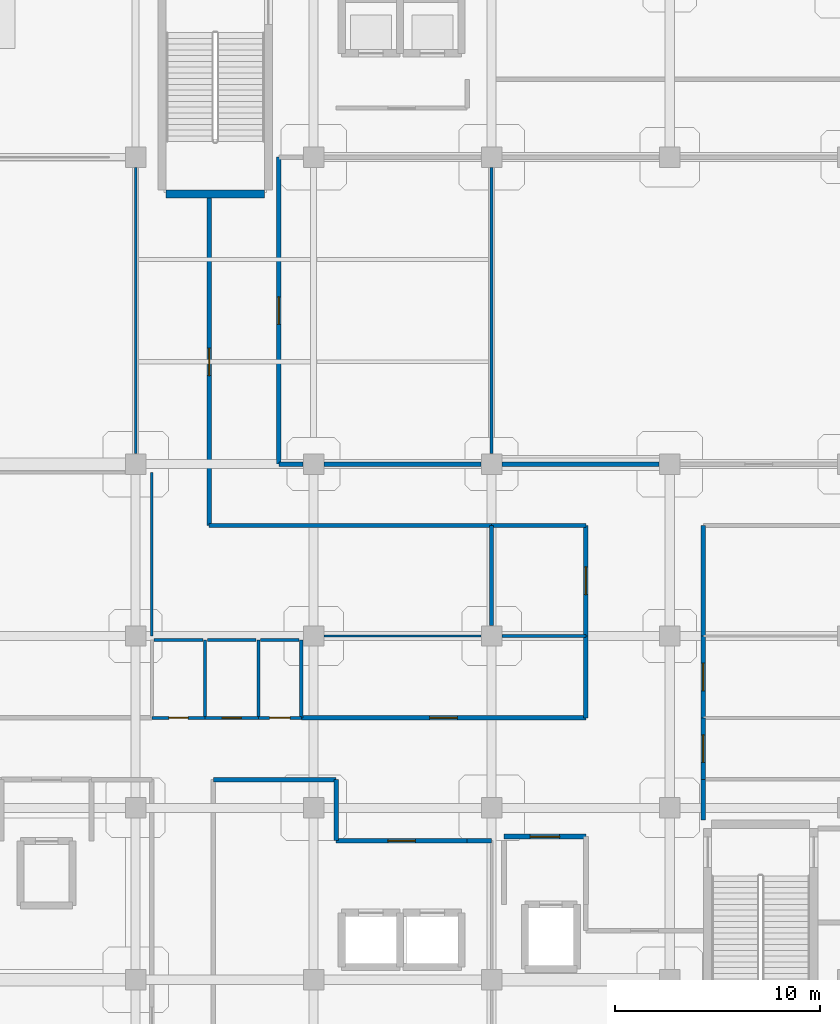
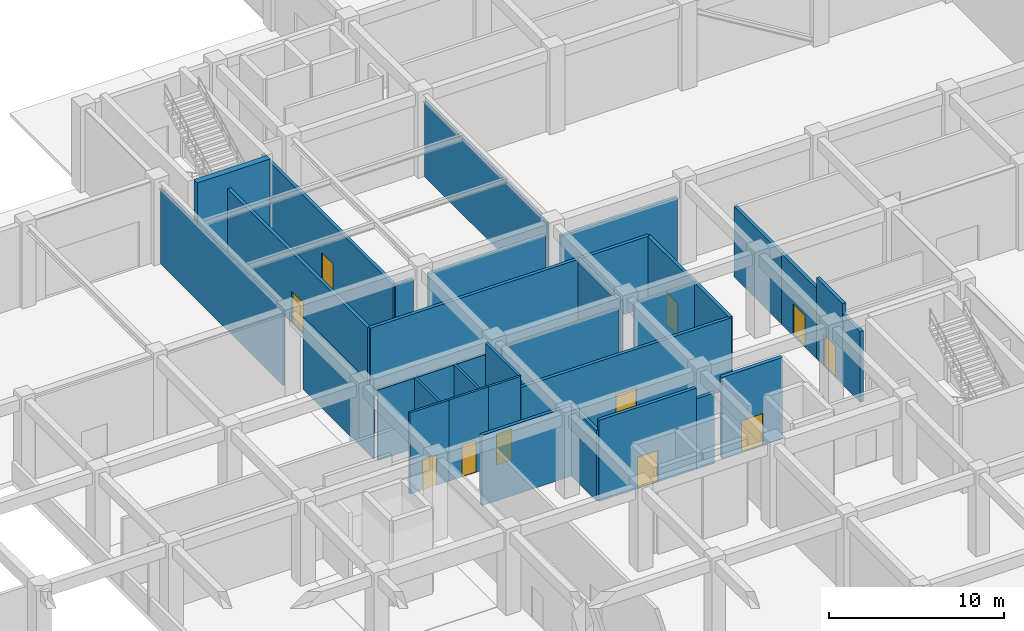
# One storey, part 62 of 82: 35 walls, 11 doors, 11 openings.
"""IFC4 building model written with IfcOpenShell, lengths in metres."""

from ifc_helpers import new_model, si_unit, derived_unit, direction, frame, frame_2d, origin, place, context, subcontext, project, spatial, rectangle, extrude, material, layer, layer_set, type_object, element, fill, save


model = new_model("IFC4")

# Units and contexts
model_context = context("Model", 3, precision=1e-05, world=origin(), true_north=direction((0.0, 1.0)))
body_context = subcontext(model_context, "Body", "Model", "MODEL_VIEW")
ifc_project = project(units=[si_unit("LENGTHUNIT", "METRE"), si_unit("AREAUNIT", "SQUARE_METRE"), si_unit("VOLUMEUNIT", "CUBIC_METRE"), si_unit("PLANEANGLEUNIT", "RADIAN"), si_unit("MASSUNIT", "GRAM", prefix="KILO"), derived_unit("THERMALTRANSMITTANCEUNIT", [(si_unit("MASSUNIT", "GRAM", prefix="KILO"), 1), (si_unit("TIMEUNIT", "SECOND"), -3), (si_unit("THERMODYNAMICTEMPERATUREUNIT", "KELVIN"), -1)])], contexts=[model_context])

# Site, building, storey
site_placement = place(None, origin())
site = spatial("IfcSite", under=ifc_project, at=site_placement, CompositionType="ELEMENT")
building_placement = place(site_placement, origin())
building = spatial("IfcBuilding", under=site, at=building_placement, Name="Qinzheling Arcade Emporium", CompositionType="ELEMENT")
storey_placement = place(building_placement, origin())
storey = spatial("IfcBuildingStorey", under=building, at=storey_placement, Name="L01", CompositionType="ELEMENT", Elevation=0.0)

# Wall, opening, door
ifc_material_1 = material(Name="Double-stud acoustic gypsum board partition")
ifc_layer_1 = layer(ifc_material_1, 0.215087890625, Name="Double-stud acoustic gypsum board partition")
ifc_layer_set_1 = layer_set([ifc_layer_1], Name="Double-stud acoustic gypsum board partition")
wall_type_1 = type_object("IfcWallType", Name="Acoustic Corridor Partition Wall 215", PredefinedType="PARTITIONING", material=ifc_layer_set_1)
wall_1_placement = place(storey_placement, frame((44.60009765625, 32.0, 0.0), z_axis=(0.0, 0.0, 1.0), x_axis=(1.0, 0.0, 0.0)))
wall_1 = element("IfcWall", 1, at=wall_1_placement, inside=storey, type_object=wall_type_1, Name="Interior Wall WL-L01-INT-0095", PredefinedType="PARTITIONING", context=body_context, shape_type="SweptSolid", body=[
    extrude(rectangle(XDim=6.39990234375, YDim=0.215087890625, at=frame_2d((3.199951171875, 0.0))), origin(), (0.0, 0.0, 1.0), 5.659912109375),
])
opening_1_placement = place(wall_1_placement, frame((2.52490234375, 0.0, 0.0)))
opening_1 = element("IfcOpeningElement", 2, at=opening_1_placement, cuts=wall_1, Name="Opening FD05", PredefinedType="OPENING", context=body_context, shape_type="SweptSolid", body=[
    extrude(rectangle(XDim=1.35009765625, YDim=2.199951171875, at=frame_2d((0.675048828125, 1.10009765625))), frame((0.0, 0.11767578125, 0.0), z_axis=(0.0, -1.0, 0.0), x_axis=(1.0, 0.0, 0.0)), (0.0, 0.0, 1.0), 0.235107421875),
])
ifc_material_2 = material(Name="Class B fire-rated stainless-clad door")
door_type_1 = type_object("IfcDoorType", Name="Kitchen Fire-Rated Service Door 1350x2200", OperationType="NOTDEFINED", PredefinedType="DOOR", material=ifc_material_2)
door_1_placement = place(opening_1_placement, origin())
door_1 = element("IfcDoor", 3, at=door_1_placement, inside=storey, type_object=door_type_1, Name="FD05 Interior Door DR-L01-INT-0028", OperationType="SINGLE_SWING_RIGHT", OverallHeight=2.199951171875, OverallWidth=1.35009765625, PredefinedType="DOOR", context=body_context, shape_type="SweptSolid", body=[
    extrude(rectangle(XDim=1.35009765625, YDim=2.199951171875, at=frame_2d((0.675048828125, 1.10009765625))), frame((0.0, 0.02490234375, 0.0), z_axis=(0.0, -1.0, 0.0), x_axis=(1.0, 0.0, 0.0)), (0.0, 0.0, 1.0), 0.050048828125),
])
fill(opening_1, door_1)

# Walls
wall_2_placement = place(storey_placement, frame((44.60009765625, 32.0, 0.0), z_axis=(0.0, 0.0, 1.0), x_axis=(0.0, 1.0, 0.0)))
element("IfcWall", 4, at=wall_2_placement, inside=storey, type_object=wall_type_1, Name="Interior Wall WL-L01-INT-0133", PredefinedType="PARTITIONING", context=body_context, shape_type="SweptSolid", body=[
    extrude(rectangle(XDim=2.97998046875, YDim=0.215087890625, at=frame_2d((1.489990234375, 0.0))), origin(), (0.0, 0.0, 1.0), 4.909912109375),
])
wall_3_placement = place(storey_placement, frame((44.60009765625, 34.97998046875, 0.0), z_axis=(0.0, 0.0, 1.0), x_axis=(-1.0, 0.0, 0.0)))
element("IfcWall", 5, at=wall_3_placement, inside=storey, type_object=wall_type_1, Name="Interior Wall WL-L01-INT-0134", PredefinedType="PARTITIONING", context=body_context, shape_type="SweptSolid", body=[
    extrude(rectangle(XDim=6.0, YDim=0.215087890625, at=frame_2d((3.0, 0.0))), origin(), (0.0, 0.0, 1.0), 4.909912109375),
])
wall_4_placement = place(storey_placement, frame((52.199951171875, 32.0, 0.0), z_axis=(0.0, 0.0, 1.0), x_axis=(-1.0, 0.0, 0.0)))
element("IfcWall", 6, at=wall_4_placement, inside=storey, type_object=wall_type_1, Name="Interior Wall WL-L01-INT-0136", PredefinedType="PARTITIONING", context=body_context, shape_type="SweptSolid", body=[
    extrude(rectangle(XDim=1.199951171875, YDim=0.215087890625, at=frame_2d((0.60009765625, 0.0))), origin(), (0.0, 0.0, 1.0), 4.909912109375),
])
wall_5_placement = place(storey_placement, frame((62.550048828125, 35.0, 0.0), z_axis=(0.0, 0.0, 1.0), x_axis=(0.0, -1.0, 0.0)))
element("IfcWall", 7, at=wall_5_placement, inside=storey, type_object=wall_type_1, Name="Interior Wall WL-L01-INT-0139", PredefinedType="PARTITIONING", context=body_context, shape_type="SweptSolid", body=[
    extrude(rectangle(XDim=2.0, YDim=0.215087890625, at=frame_2d((1.0, 0.0))), origin(), (0.0, 0.0, 1.0), 4.909912109375),
])

# Wall, opening, door
wall_6_placement = place(storey_placement, frame((62.550048828125, 42.0, 0.0), z_axis=(0.0, 0.0, 1.0), x_axis=(0.0, -1.0, 0.0)))
wall_6 = element("IfcWall", 8, at=wall_6_placement, inside=storey, type_object=wall_type_1, Name="Interior Wall WL-L01-INT-0140", PredefinedType="PARTITIONING", context=body_context, shape_type="SweptSolid", body=[
    extrude(rectangle(XDim=4.0, YDim=0.215087890625, at=frame_2d((2.0, 0.0))), origin(), (0.0, 0.0, 1.0), 4.909912109375),
])
opening_2_placement = place(wall_6_placement, frame((1.324951171875, 0.0, 0.0)))
opening_2 = element("IfcOpeningElement", 9, at=opening_2_placement, cuts=wall_6, Name="Opening FD05", PredefinedType="OPENING", context=body_context, shape_type="SweptSolid", body=[
    extrude(rectangle(XDim=1.35009765625, YDim=2.199951171875, at=frame_2d((0.675048828125, 1.10009765625))), frame((0.0, 0.11767578125, 0.0), z_axis=(0.0, -1.0, 0.0), x_axis=(1.0, 0.0, 0.0)), (0.0, 0.0, 1.0), 0.235107421875),
])
door_2_placement = place(opening_2_placement, origin())
door_2 = element("IfcDoor", 10, at=door_2_placement, inside=storey, type_object=door_type_1, Name="FD05 Interior Door DR-L01-INT-0043", OperationType="SINGLE_SWING_RIGHT", OverallHeight=2.199951171875, OverallWidth=1.35009765625, PredefinedType="DOOR", context=body_context, shape_type="SweptSolid", body=[
    extrude(rectangle(XDim=1.35009765625, YDim=2.199951171875, at=frame_2d((0.675048828125, 1.10009765625))), frame((0.0, 0.02490234375, 0.0), z_axis=(0.0, -1.0, 0.0), x_axis=(1.0, 0.0, 0.0)), (0.0, 0.0, 1.0), 0.050048828125),
])
fill(opening_2, door_2)

wall_7_placement = place(storey_placement, frame((42.89990234375, 38.0, 0.0), z_axis=(0.0, 0.0, 1.0), x_axis=(1.0, 0.0, 0.0)))
wall_7 = element("IfcWall", 11, at=wall_7_placement, inside=storey, type_object=wall_type_1, Name="Interior Wall WL-L01-INT-0141", PredefinedType="PARTITIONING", context=body_context, shape_type="SweptSolid", body=[
    extrude(rectangle(XDim=13.900146484375, YDim=0.215087890625, at=frame_2d((6.9501953125, 0.0))), origin(), (0.0, 0.0, 1.0), 4.909912109375),
])
opening_3_placement = place(wall_7_placement, frame((6.27490234375, 0.0, 0.0)))
opening_3 = element("IfcOpeningElement", 12, at=opening_3_placement, cuts=wall_7, Name="Opening FD05", PredefinedType="OPENING", context=body_context, shape_type="SweptSolid", body=[
    extrude(rectangle(XDim=1.35009765625, YDim=2.199951171875, at=frame_2d((0.675048828125, 1.10009765625))), frame((0.0, 0.11767578125, 0.0), z_axis=(0.0, -1.0, 0.0), x_axis=(1.0, 0.0, 0.0)), (0.0, 0.0, 1.0), 0.235107421875),
])
door_3_placement = place(opening_3_placement, origin())
door_3 = element("IfcDoor", 13, at=door_3_placement, inside=storey, type_object=door_type_1, Name="FD05 Interior Door DR-L01-INT-0044", OperationType="SINGLE_SWING_LEFT", OverallHeight=2.199951171875, OverallWidth=1.35009765625, PredefinedType="DOOR", context=body_context, shape_type="SweptSolid", body=[
    extrude(rectangle(XDim=1.35009765625, YDim=2.199951171875, at=frame_2d((0.675048828125, 1.10009765625))), frame((0.0, 0.02490234375, 0.0), z_axis=(0.0, -1.0, 0.0), x_axis=(1.0, 0.0, 0.0)), (0.0, 0.0, 1.0), 0.050048828125),
])
fill(opening_3, door_3)

# Walls
wall_8_placement = place(storey_placement, frame((56.800048828125, 38.0, 0.0), z_axis=(0.0, 0.0, 1.0), x_axis=(0.0, 1.0, 0.0)))
element("IfcWall", 14, at=wall_8_placement, inside=storey, type_object=wall_type_1, Name="Interior Wall WL-L01-INT-0142", PredefinedType="PARTITIONING", context=body_context, shape_type="SweptSolid", body=[
    extrude(rectangle(XDim=4.0, YDim=0.215087890625, at=frame_2d((2.0, 0.0))), origin(), (0.0, 0.0, 1.0), 4.909912109375),
])
wall_9_placement = place(storey_placement, frame((52.7099609375, 50.39990234375, 0.0), z_axis=(0.0, 0.0, 1.0), x_axis=(1.0, 0.0, 0.0)))
element("IfcWall", 15, at=wall_9_placement, inside=storey, type_object=wall_type_1, Name="Interior Wall WL-L01-INT-0143", PredefinedType="PARTITIONING", context=body_context, shape_type="SweptSolid", body=[
    extrude(rectangle(XDim=7.679931640625, YDim=0.215087890625, at=frame_2d((3.83984375, 0.0))), origin(), (0.0, 0.0, 1.0), 4.510009765625),
])
wall_10_placement = place(storey_placement, frame((52.199951171875, 47.39990234375, 0.0), z_axis=(0.0, 0.0, 1.0), x_axis=(-1.0, 0.0, 0.0)))
element("IfcWall", 16, at=wall_10_placement, inside=storey, type_object=wall_type_1, Name="Interior Wall WL-L01-INT-0151", PredefinedType="PARTITIONING", context=body_context, shape_type="SweptSolid", body=[
    extrude(rectangle(XDim=13.800048828125, YDim=0.215087890625, at=frame_2d((6.89990234375, 0.0))), origin(), (0.0, 0.0, 1.0), 4.909912109375),
])

# Wall, opening, door
wall_11_placement = place(storey_placement, frame((38.39990234375, 47.39990234375, 0.0), z_axis=(0.0, 0.0, 1.0), x_axis=(0.0, 1.0, 0.0)))
wall_11 = element("IfcWall", 17, at=wall_11_placement, inside=storey, type_object=wall_type_1, Name="Interior Wall WL-L01-INT-0152", PredefinedType="PARTITIONING", context=body_context, shape_type="SweptSolid", body=[
    extrude(rectangle(XDim=15.9951171875, YDim=0.215087890625, at=frame_2d((7.99755859375, 0.0))), origin(), (0.0, 0.0, 1.0), 4.909912109375),
])
opening_4_placement = place(wall_11_placement, frame((7.322998046875, 0.0, 0.0)))
opening_4 = element("IfcOpeningElement", 18, at=opening_4_placement, cuts=wall_11, Name="Opening FD05", PredefinedType="OPENING", context=body_context, shape_type="SweptSolid", body=[
    extrude(rectangle(XDim=1.35009765625, YDim=2.199951171875, at=frame_2d((0.675048828125, 1.10009765625))), frame((0.0, 0.11767578125, 0.0), z_axis=(0.0, -1.0, 0.0), x_axis=(1.0, 0.0, 0.0)), (0.0, 0.0, 1.0), 0.235107421875),
])
door_4_placement = place(opening_4_placement, origin())
door_4 = element("IfcDoor", 19, at=door_4_placement, inside=storey, type_object=door_type_1, Name="FD05 Interior Door DR-L01-INT-0046", OperationType="SINGLE_SWING_LEFT", OverallHeight=2.199951171875, OverallWidth=1.35009765625, PredefinedType="DOOR", context=body_context, shape_type="SweptSolid", body=[
    extrude(rectangle(XDim=1.35009765625, YDim=2.199951171875, at=frame_2d((0.675048828125, 1.10009765625))), frame((0.0, 0.02490234375, 0.0), z_axis=(0.0, -1.0, 0.0), x_axis=(1.0, 0.0, 0.0)), (0.0, 0.0, 1.0), 0.050048828125),
])
fill(opening_4, door_4)

wall_12_placement = place(storey_placement, frame((41.800048828125, 65.39990234375, 0.0), z_axis=(0.0, 0.0, 1.0), x_axis=(0.0, -1.0, 0.0)))
wall_12 = element("IfcWall", 20, at=wall_12_placement, inside=storey, type_object=wall_type_1, Name="Interior Wall WL-L01-INT-0155", PredefinedType="PARTITIONING", context=body_context, shape_type="SweptSolid", body=[
    extrude(rectangle(XDim=15.0, YDim=0.215087890625, at=frame_2d((7.5, 0.0))), origin(), (0.0, 0.0, 1.0), 4.909912109375),
])
opening_5_placement = place(wall_12_placement, frame((6.824951171875, 0.0, 0.0)))
opening_5 = element("IfcOpeningElement", 21, at=opening_5_placement, cuts=wall_12, Name="Opening FD05", PredefinedType="OPENING", context=body_context, shape_type="SweptSolid", body=[
    extrude(rectangle(XDim=1.35009765625, YDim=2.199951171875, at=frame_2d((0.675048828125, 1.10009765625))), frame((0.0, 0.11767578125, 0.0), z_axis=(0.0, -1.0, 0.0), x_axis=(1.0, 0.0, 0.0)), (0.0, 0.0, 1.0), 0.235107421875),
])
door_5_placement = place(opening_5_placement, origin())
door_5 = element("IfcDoor", 22, at=door_5_placement, inside=storey, type_object=door_type_1, Name="FD05 Interior Door DR-L01-INT-0047", OperationType="SINGLE_SWING_RIGHT", OverallHeight=2.199951171875, OverallWidth=1.35009765625, PredefinedType="DOOR", context=body_context, shape_type="SweptSolid", body=[
    extrude(rectangle(XDim=1.35009765625, YDim=2.199951171875, at=frame_2d((0.675048828125, 1.10009765625))), frame((0.0, 0.02490234375, 0.0), z_axis=(0.0, -1.0, 0.0), x_axis=(1.0, 0.0, 0.0)), (0.0, 0.0, 1.0), 0.050048828125),
])
fill(opening_5, door_5)

# Walls
wall_13_placement = place(storey_placement, frame((41.800048828125, 50.39990234375, 0.0), z_axis=(0.0, 0.0, 1.0), x_axis=(1.0, 0.0, 0.0)))
element("IfcWall", 23, at=wall_13_placement, inside=storey, type_object=wall_type_1, Name="Interior Wall WL-L01-INT-0156", PredefinedType="PARTITIONING", context=body_context, shape_type="SweptSolid", body=[
    extrude(rectangle(XDim=1.18994140625, YDim=0.215087890625, at=frame_2d((0.594970703125, 0.0))), origin(), (0.0, 0.0, 1.0), 4.909912109375),
])
wall_14_placement = place(storey_placement, frame((44.010009765625, 50.39990234375, 0.0), z_axis=(0.0, 0.0, 1.0), x_axis=(1.0, 0.0, 0.0)))
element("IfcWall", 24, at=wall_14_placement, inside=storey, type_object=wall_type_1, Name="Interior Wall WL-L01-INT-0157", PredefinedType="PARTITIONING", context=body_context, shape_type="SweptSolid", body=[
    extrude(rectangle(XDim=7.679931640625, YDim=0.215087890625, at=frame_2d((3.83984375, 0.0))), origin(), (0.0, 0.0, 1.0), 4.909912109375),
])
wall_15_placement = place(storey_placement, frame((62.550048828125, 47.39990234375, 0.0), z_axis=(0.0, 0.0, 1.0), x_axis=(0.0, -1.0, 0.0)))
element("IfcWall", 25, at=wall_15_placement, inside=storey, type_object=wall_type_1, Name="Interior Wall WL-L01-INT-0161", PredefinedType="PARTITIONING", context=body_context, shape_type="SweptSolid", body=[
    extrude(rectangle(XDim=5.39990234375, YDim=0.215087890625, at=frame_2d((2.699951171875, 0.0))), origin(), (0.0, 0.0, 1.0), 4.909912109375),
])

# Wall, opening, door
wall_16_placement = place(storey_placement, frame((56.800048828125, 42.0, 0.0), z_axis=(0.0, 0.0, 1.0), x_axis=(0.0, 1.0, 0.0)))
wall_16 = element("IfcWall", 26, at=wall_16_placement, inside=storey, type_object=wall_type_1, Name="Interior Wall WL-L01-INT-0162", PredefinedType="PARTITIONING", context=body_context, shape_type="SweptSolid", body=[
    extrude(rectangle(XDim=5.39990234375, YDim=0.215087890625, at=frame_2d((2.699951171875, 0.0))), origin(), (0.0, 0.0, 1.0), 4.909912109375),
])
opening_6_placement = place(wall_16_placement, frame((2.02490234375, 0.0, 0.0)))
opening_6 = element("IfcOpeningElement", 27, at=opening_6_placement, cuts=wall_16, Name="Opening FD05", PredefinedType="OPENING", context=body_context, shape_type="SweptSolid", body=[
    extrude(rectangle(XDim=1.35009765625, YDim=2.199951171875, at=frame_2d((0.675048828125, 1.10009765625))), frame((0.0, 0.11767578125, 0.0), z_axis=(0.0, -1.0, 0.0), x_axis=(1.0, 0.0, 0.0)), (0.0, 0.0, 1.0), 0.235107421875),
])
door_6_placement = place(opening_6_placement, origin())
door_6 = element("IfcDoor", 28, at=door_6_placement, inside=storey, type_object=door_type_1, Name="FD05 Interior Door DR-L01-INT-0050", OperationType="SINGLE_SWING_LEFT", OverallHeight=2.199951171875, OverallWidth=1.35009765625, PredefinedType="DOOR", context=body_context, shape_type="SweptSolid", body=[
    extrude(rectangle(XDim=1.35009765625, YDim=2.199951171875, at=frame_2d((0.675048828125, 1.10009765625))), frame((0.0, 0.02490234375, 0.0), z_axis=(0.0, -1.0, 0.0), x_axis=(1.0, 0.0, 0.0)), (0.0, 0.0, 1.0), 0.050048828125),
])
fill(opening_6, door_6)

# Wall
wall_17_placement = place(storey_placement, frame((56.800048828125, 47.39990234375, 0.0), z_axis=(0.0, 0.0, 1.0), x_axis=(-1.0, 0.0, 0.0)))
element("IfcWall", 29, at=wall_17_placement, inside=storey, type_object=wall_type_1, Name="Interior Wall WL-L01-INT-0163", PredefinedType="PARTITIONING", context=body_context, shape_type="SweptSolid", body=[
    extrude(rectangle(XDim=4.60009765625, YDim=0.215087890625, at=frame_2d((2.300048828125, 0.0))), origin(), (0.0, 0.0, 1.0), 4.909912109375),
])

# Wall, opening, door
wall_18_placement = place(storey_placement, frame((62.550048828125, 38.0, 0.0), z_axis=(0.0, 0.0, 1.0), x_axis=(0.0, -1.0, 0.0)))
wall_18 = element("IfcWall", 30, at=wall_18_placement, inside=storey, type_object=wall_type_1, Name="Interior Wall WL-L01-INT-0216", PredefinedType="PARTITIONING", context=body_context, shape_type="SweptSolid", body=[
    extrude(rectangle(XDim=3.0, YDim=0.215087890625, at=frame_2d((1.5, 0.0))), origin(), (0.0, 0.0, 1.0), 5.659912109375),
])
opening_7_placement = place(wall_18_placement, frame((0.824951171875, 0.0, 0.0)))
opening_7 = element("IfcOpeningElement", 31, at=opening_7_placement, cuts=wall_18, Name="Opening FD05", PredefinedType="OPENING", context=body_context, shape_type="SweptSolid", body=[
    extrude(rectangle(XDim=1.35009765625, YDim=2.199951171875, at=frame_2d((0.675048828125, 1.10009765625))), frame((0.0, 0.11767578125, 0.0), z_axis=(0.0, -1.0, 0.0), x_axis=(1.0, 0.0, 0.0)), (0.0, 0.0, 1.0), 0.235107421875),
])
door_7_placement = place(opening_7_placement, origin())
door_7 = element("IfcDoor", 32, at=door_7_placement, inside=storey, type_object=door_type_1, Name="FD05 Interior Door DR-L01-INT-0073", OperationType="SINGLE_SWING_RIGHT", OverallHeight=2.199951171875, OverallWidth=1.35009765625, PredefinedType="DOOR", context=body_context, shape_type="SweptSolid", body=[
    extrude(rectangle(XDim=1.35009765625, YDim=2.199951171875, at=frame_2d((0.675048828125, 1.10009765625))), frame((0.0, 0.02490234375, 0.0), z_axis=(0.0, -1.0, 0.0), x_axis=(1.0, 0.0, 0.0)), (0.0, 0.0, 1.0), 0.050048828125),
])
fill(opening_7, door_7)

# Wall
ifc_material_3 = material(Name="Lightweight atelier partition")
ifc_layer_2 = layer(ifc_material_3, 0.14990234375, Name="Lightweight atelier partition")
ifc_layer_set_2 = layer_set([ifc_layer_2], Name="Lightweight atelier partition")
wall_type_2 = type_object("IfcWallType", Name="Atelier Partition Wall 150", PredefinedType="PARTITIONING", material=ifc_layer_set_2)
wall_19_placement = place(storey_placement, frame((52.199951171875, 50.909912109375, 0.0), z_axis=(0.0, 0.0, 1.0), x_axis=(0.0, 1.0, 0.0)))
element("IfcWall", 33, at=wall_19_placement, inside=storey, type_object=wall_type_2, Name="Interior Wall WL-L01-INT-0230", PredefinedType="PARTITIONING", context=body_context, shape_type="SweptSolid", body=[
    extrude(rectangle(XDim=13.97998046875, YDim=0.14990234375, at=frame_2d((6.989990234375, 0.0))), origin(), (0.0, 0.0, 1.0), 5.221923828125),
])

# Wall, opening, door
ifc_material_4 = material(Name="Fire-rated double-stud gypsum and mineral wool wall")
ifc_layer_3 = layer(ifc_material_4, 0.2451171875, Name="Fire-rated double-stud gypsum and mineral wool wall")
ifc_layer_set_3 = layer_set([ifc_layer_3], Name="Fire-rated double-stud gypsum and mineral wool wall")
wall_type_3 = type_object("IfcWallType", Name="Firefighting Lobby Rated Wall 245", PredefinedType="STANDARD", material=ifc_layer_set_3)
wall_20_placement = place(storey_placement, frame((52.800048828125, 32.199951171875, 0.0), z_axis=(0.0, 0.0, 1.0), x_axis=(1.0, 0.0, 0.0)))
wall_20 = element("IfcWall", 34, at=wall_20_placement, inside=storey, type_object=wall_type_3, Name="Interior Wall WL-L01-INT-0086", PredefinedType="STANDARD", context=body_context, shape_type="SweptSolid", body=[
    extrude(rectangle(XDim=4.0, YDim=0.2451171875, at=frame_2d((2.0, 0.0))), origin(), (0.0, 0.0, 1.0), 5.659912109375),
])
opening_8_placement = place(wall_20_placement, frame((1.27490234375, 0.0, 0.0)))
opening_8 = element("IfcOpeningElement", 35, at=opening_8_placement, cuts=wall_20, Name="Opening FD02", PredefinedType="OPENING", context=body_context, shape_type="SweptSolid", body=[
    extrude(rectangle(XDim=1.449951171875, YDim=2.199951171875, at=frame_2d((0.72509765625, 1.10009765625))), frame((0.0, 0.132568359375, 0.0), z_axis=(0.0, -1.0, 0.0), x_axis=(1.0, 0.0, 0.0)), (0.0, 0.0, 1.0), 0.26513671875),
])
ifc_material_5 = material(Name="Class A fire-rated steel double door", Category="steel")
door_type_2 = type_object("IfcDoorType", Name="Firefighting Lobby Fire Door 1450x2200", OperationType="DOUBLE_DOOR_SINGLE_SWING", PredefinedType="DOOR", material=ifc_material_5)
door_8_placement = place(opening_8_placement, origin())
door_8 = element("IfcDoor", 36, at=door_8_placement, inside=storey, type_object=door_type_2, Name="FD02 Interior Door DR-L01-INT-0025", OperationType="DOUBLE_DOOR_SINGLE_SWING", OverallHeight=2.199951171875, OverallWidth=1.449951171875, PredefinedType="DOOR", context=body_context, shape_type="SweptSolid", body=[
    extrude(rectangle(XDim=1.449951171875, YDim=2.199951171875, at=frame_2d((0.72509765625, 1.10009765625))), frame((0.0, 0.02490234375, 0.0), z_axis=(0.0, -1.0, 0.0), x_axis=(1.0, 0.0, 0.0)), (0.0, 0.0, 1.0), 0.050048828125),
])
fill(opening_8, door_8)

# Walls
ifc_material_6 = material(Name="Ceramic-tiled cement-board partition")
ifc_layer_4 = layer(ifc_material_6, 0.18505859375, Name="Ceramic-tiled cement-board partition")
ifc_layer_set_4 = layer_set([ifc_layer_4], Name="Ceramic-tiled cement-board partition")
wall_type_4 = type_object("IfcWallType", Name="Food Hall Kitchen Partition Wall 185", PredefinedType="PARTITIONING", material=ifc_layer_set_4)
wall_21_placement = place(storey_placement, frame((52.199951171875, 47.39990234375, 0.0), z_axis=(0.0, 0.0, 1.0), x_axis=(0.0, -1.0, 0.0)))
element("IfcWall", 37, at=wall_21_placement, inside=storey, type_object=wall_type_4, Name="Interior Wall WL-L01-INT-0232", PredefinedType="PARTITIONING", context=body_context, shape_type="SweptSolid", body=[
    extrude(rectangle(XDim=4.889892578125, YDim=0.18505859375, at=frame_2d((2.44482421875, 0.0))), origin(), (0.0, 0.0, 1.0), 4.909912109375),
])
ifc_material_7 = material(Name="Lightweight gypsum studio partition")
ifc_layer_5 = layer(ifc_material_7, 0.125, Name="Lightweight gypsum studio partition")
ifc_layer_set_5 = layer_set([ifc_layer_5], Name="Lightweight gypsum studio partition")
wall_type_5 = type_object("IfcWallType", Name="Merchandising Studio Partition Wall 125", PredefinedType="PARTITIONING", material=ifc_layer_set_5)
wall_22_placement = place(storey_placement, frame((34.800048828125, 64.889892578125, 0.0), z_axis=(0.0, 0.0, 1.0), x_axis=(0.0, -1.0, 0.0)))
element("IfcWall", 38, at=wall_22_placement, inside=storey, type_object=wall_type_5, Name="Interior Wall WL-L01-INT-0114", PredefinedType="PARTITIONING", context=body_context, shape_type="SweptSolid", body=[
    extrude(rectangle(XDim=13.97998046875, YDim=0.125, at=frame_2d((6.989990234375, 0.0))), origin(), (0.0, 0.0, 1.0), 5.221923828125),
])
ifc_material_8 = material(Name="Moisture-resistant shaftliner gypsum board")
ifc_layer_6 = layer(ifc_material_8, 0.155029296875, Name="Moisture-resistant shaftliner gypsum board")
ifc_layer_set_6 = layer_set([ifc_layer_6], Name="Moisture-resistant shaftliner gypsum board")
wall_type_6 = type_object("IfcWallType", Name="Plumbing and Service Riser Wall 155", PredefinedType="MOVABLE", material=ifc_layer_set_6)
for number, where, z_axis, x_axis, name in (
    (39, (38.199951171875, 41.800048828125, 0.0), (0.0, 0.0, 1.0), (0.0, -1.0, 0.0), "Interior Wall WL-L01-INT-0115"),
    (40, (40.800048828125, 41.800048828125, 0.0), (0.0, 0.0, 1.0), (0.0, -1.0, 0.0), "Interior Wall WL-L01-INT-0118"),
):
    element("IfcWall", number, at=place(storey_placement, frame(where, z_axis=z_axis, x_axis=x_axis)), inside=storey, type_object=wall_type_6, Name=name, PredefinedType="MOVABLE", context=body_context, shape_type="SweptSolid", body=[
        extrude(rectangle(XDim=3.800048828125, YDim=0.155029296875, at=frame_2d((1.89990234375, 0.0))), origin(), (0.0, 0.0, 1.0), 4.909912109375),
    ])
wall_23_placement = place(storey_placement, frame((42.89990234375, 41.800048828125, 0.0), z_axis=(0.0, 0.0, 1.0), x_axis=(0.0, -1.0, 0.0)))
element("IfcWall", 41, at=wall_23_placement, inside=storey, type_object=wall_type_6, Name="Interior Wall WL-L01-INT-0121", PredefinedType="MOVABLE", context=body_context, shape_type="SweptSolid", body=[
    extrude(rectangle(XDim=3.800048828125, YDim=0.155029296875, at=frame_2d((1.89990234375, 0.0))), origin(), (0.0, 0.0, 1.0), 5.659912109375),
])
ifc_material_9 = material(Name="Concrete C50", Category="concrete")
ifc_layer_7 = layer(ifc_material_9, 0.39990234375, Name="Concrete C50", Category="concrete")
ifc_layer_set_7 = layer_set([ifc_layer_7], Name="Concrete C50")
wall_type_7 = type_object("IfcWallType", Name="RC Stair Core Shear Wall 400 C50", PredefinedType="SHEAR", material=ifc_layer_set_7)
wall_24_placement = place(storey_placement, frame((41.090087890625, 63.60009765625, 0.0), z_axis=(0.0, 0.0, 1.0), x_axis=(-1.0, 0.0, 0.0)))
element("IfcWall", 42, at=wall_24_placement, inside=storey, type_object=wall_type_7, Name="Stair Core Wall WL-L01-ST03-SOUTH", PredefinedType="SHEAR", context=body_context, shape_type="SweptSolid", body=[
    extrude(rectangle(XDim=4.7900390625, YDim=0.39990234375, at=frame_2d((2.39501953125, 0.0))), origin(), (0.0, 0.0, 1.0), 6.0),
])
ifc_material_10 = material(Name="Galvanised steel-stud stockroom partition", Category="steel")
ifc_layer_8 = layer(ifc_material_10, 0.114990234375, Name="Galvanised steel-stud stockroom partition", Category="steel")
ifc_layer_set_8 = layer_set([ifc_layer_8], Name="Galvanised steel-stud stockroom partition")
wall_type_8 = type_object("IfcWallType", Name="Storage Cage Partition Wall 115", PredefinedType="PARTITIONING", material=ifc_layer_set_8)
wall_25_placement = place(storey_placement, frame((35.60009765625, 50.0, 0.0), z_axis=(0.0, 0.0, 1.0), x_axis=(0.0, -1.0, 0.0)))
element("IfcWall", 43, at=wall_25_placement, inside=storey, type_object=wall_type_8, Name="Interior Wall WL-L01-INT-0219", PredefinedType="PARTITIONING", context=body_context, shape_type="SweptSolid", body=[
    extrude(rectangle(XDim=8.0, YDim=0.114990234375, at=frame_2d((4.0, 0.0))), origin(), (0.0, 0.0, 1.0), 4.909912109375),
])
wall_26_placement = place(storey_placement, frame((44.010009765625, 42.0, 0.0), z_axis=(0.0, 0.0, 1.0), x_axis=(1.0, 0.0, 0.0)))
element("IfcWall", 44, at=wall_26_placement, inside=storey, type_object=wall_type_8, Name="Interior Wall WL-L01-INT-0228", PredefinedType="PARTITIONING", context=body_context, shape_type="SweptSolid", body=[
    extrude(rectangle(XDim=7.679931640625, YDim=0.114990234375, at=frame_2d((3.83984375, 0.0))), origin(), (0.0, 0.0, 1.0), 4.909912109375),
])
ifc_material_11 = material(Name="Moisture-resistant tea room partition")
ifc_layer_9 = layer(ifc_material_11, 0.1298828125, Name="Moisture-resistant tea room partition")
ifc_layer_set_9 = layer_set([ifc_layer_9], Name="Moisture-resistant tea room partition")
wall_type_9 = type_object("IfcWallType", Name="Tea Room Partition Wall 130", PredefinedType="PARTITIONING", material=ifc_layer_set_9)
wall_27_placement = place(storey_placement, frame((52.7099609375, 42.0, 0.0), z_axis=(0.0, 0.0, 1.0), x_axis=(1.0, 0.0, 0.0)))
element("IfcWall", 45, at=wall_27_placement, inside=storey, type_object=wall_type_9, Name="Interior Wall WL-L01-INT-0229", PredefinedType="PARTITIONING", context=body_context, shape_type="SweptSolid", body=[
    extrude(rectangle(XDim=4.090087890625, YDim=0.1298828125, at=frame_2d((2.044921875, 0.0))), origin(), (0.0, 0.0, 1.0), 4.909912109375),
])

# Wall, opening, door
ifc_material_12 = material(Name="Moisture-resistant cement-board WC partition")
ifc_layer_10 = layer(ifc_material_12, 0.14501953125, Name="Moisture-resistant cement-board WC partition")
ifc_layer_set_10 = layer_set([ifc_layer_10], Name="Moisture-resistant cement-board WC partition")
wall_type_10 = type_object("IfcWallType", Name="Washroom Moisture Partition Wall 145", PredefinedType="PARTITIONING", material=ifc_layer_set_10)
wall_28_placement = place(storey_placement, frame((38.199951171875, 38.0, 0.0), z_axis=(0.0, 0.0, 1.0), x_axis=(-1.0, 0.0, 0.0)))
wall_28 = element("IfcWall", 46, at=wall_28_placement, inside=storey, type_object=wall_type_10, Name="Interior Wall WL-L01-INT-0116", PredefinedType="PARTITIONING", context=body_context, shape_type="SweptSolid", body=[
    extrude(rectangle(XDim=2.599853515625, YDim=0.14501953125, at=frame_2d((1.2998046875, 0.0))), origin(), (0.0, 0.0, 1.0), 5.659912109375),
])
opening_9_placement = place(wall_28_placement, frame((0.824951171875, 0.0, 0.0)))
opening_9 = element("IfcOpeningElement", 47, at=opening_9_placement, cuts=wall_28, Name="Opening D12", PredefinedType="OPENING", context=body_context, shape_type="SweptSolid", body=[
    extrude(rectangle(XDim=0.949951171875, YDim=2.14990234375, at=frame_2d((0.47509765625, 1.074951171875))), frame((0.0, 0.08251953125, 0.0), z_axis=(0.0, -1.0, 0.0), x_axis=(1.0, 0.0, 0.0)), (0.0, 0.0, 1.0), 0.1650390625),
])
ifc_material_13 = material(Name="Antimicrobial high-pressure laminate door")
door_type_3 = type_object("IfcDoorType", Name="Public Male Washroom Door 950x2150", OperationType="NOTDEFINED", PredefinedType="DOOR", material=ifc_material_13)
door_9_placement = place(opening_9_placement, origin())
door_9 = element("IfcDoor", 48, at=door_9_placement, inside=storey, type_object=door_type_3, Name="D12 Interior Door DR-L01-INT-0034", OperationType="SINGLE_SWING_LEFT", OverallHeight=2.14990234375, OverallWidth=0.949951171875, PredefinedType="DOOR", context=body_context, shape_type="SweptSolid", body=[
    extrude(rectangle(XDim=0.949951171875, YDim=2.14990234375, at=frame_2d((0.47509765625, 1.074951171875))), frame((0.0, 0.02490234375, 0.0), z_axis=(0.0, -1.0, 0.0), x_axis=(1.0, 0.0, 0.0)), (0.0, 0.0, 1.0), 0.050048828125),
])
fill(opening_9, door_9)

wall_29_placement = place(storey_placement, frame((40.800048828125, 38.0, 0.0), z_axis=(0.0, 0.0, 1.0), x_axis=(-1.0, 0.0, 0.0)))
wall_29 = element("IfcWall", 49, at=wall_29_placement, inside=storey, type_object=wall_type_10, Name="Interior Wall WL-L01-INT-0119", PredefinedType="PARTITIONING", context=body_context, shape_type="SweptSolid", body=[
    extrude(rectangle(XDim=2.60009765625, YDim=0.14501953125, at=frame_2d((1.300048828125, 0.0))), origin(), (0.0, 0.0, 1.0), 5.659912109375),
])
opening_10_placement = place(wall_29_placement, frame((0.824951171875, 0.0, 0.0)))
opening_10 = element("IfcOpeningElement", 50, at=opening_10_placement, cuts=wall_29, Name="Opening D13", PredefinedType="OPENING", context=body_context, shape_type="SweptSolid", body=[
    extrude(rectangle(XDim=0.949951171875, YDim=2.199951171875, at=frame_2d((0.47509765625, 1.10009765625))), frame((0.0, 0.08251953125, 0.0), z_axis=(0.0, -1.0, 0.0), x_axis=(1.0, 0.0, 0.0)), (0.0, 0.0, 1.0), 0.1650390625),
])
door_type_4 = type_object("IfcDoorType", Name="Public Female Washroom Door 950x2200", OperationType="NOTDEFINED", PredefinedType="DOOR", material=ifc_material_13)
door_10_placement = place(opening_10_placement, origin())
door_10 = element("IfcDoor", 51, at=door_10_placement, inside=storey, type_object=door_type_4, Name="D13 Interior Door DR-L01-INT-0035", OperationType="SINGLE_SWING_RIGHT", OverallHeight=2.199951171875, OverallWidth=0.949951171875, PredefinedType="DOOR", context=body_context, shape_type="SweptSolid", body=[
    extrude(rectangle(XDim=0.949951171875, YDim=2.199951171875, at=frame_2d((0.47509765625, 1.10009765625))), frame((0.0, 0.02490234375, 0.0), z_axis=(0.0, -1.0, 0.0), x_axis=(1.0, 0.0, 0.0)), (0.0, 0.0, 1.0), 0.050048828125),
])
fill(opening_10, door_10)

wall_30_placement = place(storey_placement, frame((42.89990234375, 38.0, 0.0), z_axis=(0.0, 0.0, 1.0), x_axis=(-1.0, 0.0, 0.0)))
wall_30 = element("IfcWall", 52, at=wall_30_placement, inside=storey, type_object=wall_type_10, Name="Interior Wall WL-L01-INT-0120", PredefinedType="PARTITIONING", context=body_context, shape_type="SweptSolid", body=[
    extrude(rectangle(XDim=2.099853515625, YDim=0.14501953125, at=frame_2d((1.0498046875, 0.0))), origin(), (0.0, 0.0, 1.0), 5.659912109375),
])
opening_11_placement = place(wall_30_placement, frame((0.550048828125, 0.0, 0.0)))
opening_11 = element("IfcOpeningElement", 53, at=opening_11_placement, cuts=wall_30, Name="Opening D11", PredefinedType="OPENING", context=body_context, shape_type="SweptSolid", body=[
    extrude(rectangle(XDim=1.0, YDim=2.14990234375, at=frame_2d((0.5, 1.074951171875))), frame((0.0, 0.08251953125, 0.0), z_axis=(0.0, -1.0, 0.0), x_axis=(1.0, 0.0, 0.0)), (0.0, 0.0, 1.0), 0.1650390625),
])
door_type_5 = type_object("IfcDoorType", Name="Accessible Washroom Door 1000x2150", OperationType="NOTDEFINED", PredefinedType="DOOR", material=ifc_material_13)
door_11_placement = place(opening_11_placement, origin())
door_11 = element("IfcDoor", 54, at=door_11_placement, inside=storey, type_object=door_type_5, Name="D11 Interior Door DR-L01-INT-0036", OperationType="SINGLE_SWING_LEFT", OverallHeight=2.14990234375, OverallWidth=1.0, PredefinedType="DOOR", context=body_context, shape_type="SweptSolid", body=[
    extrude(rectangle(XDim=1.0, YDim=2.14990234375, at=frame_2d((0.5, 1.074951171875))), frame((0.0, 0.02490234375, 0.0), z_axis=(0.0, -1.0, 0.0), x_axis=(1.0, 0.0, 0.0)), (0.0, 0.0, 1.0), 0.050048828125),
])
fill(opening_11, door_11)

# Walls
wall_31_placement = place(storey_placement, frame((35.702880859375, 41.800048828125, 0.0), z_axis=(0.0, 0.0, 1.0), x_axis=(1.0, 0.0, 0.0)))
element("IfcWall", 55, at=wall_31_placement, inside=storey, type_object=wall_type_10, Name="Interior Wall WL-L01-INT-0269", PredefinedType="PARTITIONING", context=body_context, shape_type="SweptSolid", body=[
    extrude(rectangle(XDim=2.39013671875, YDim=0.14501953125, at=frame_2d((1.195068359375, 0.0))), origin(), (0.0, 0.0, 1.0), 4.909912109375),
])
wall_32_placement = place(storey_placement, frame((38.30810546875, 41.800048828125, 0.0), z_axis=(0.0, 0.0, 1.0), x_axis=(1.0, 0.0, 0.0)))
element("IfcWall", 56, at=wall_32_placement, inside=storey, type_object=wall_type_10, Name="Interior Wall WL-L01-INT-0270", PredefinedType="PARTITIONING", context=body_context, shape_type="SweptSolid", body=[
    extrude(rectangle(XDim=2.3837890625, YDim=0.14501953125, at=frame_2d((1.19189453125, 0.0))), origin(), (0.0, 0.0, 1.0), 4.909912109375),
])
wall_33_placement = place(storey_placement, frame((40.906982421875, 41.800048828125, 0.0), z_axis=(0.0, 0.0, 1.0), x_axis=(1.0, 0.0, 0.0)))
element("IfcWall", 57, at=wall_33_placement, inside=storey, type_object=wall_type_10, Name="Interior Wall WL-L01-INT-0271", PredefinedType="PARTITIONING", context=body_context, shape_type="SweptSolid", body=[
    extrude(rectangle(XDim=1.885009765625, YDim=0.14501953125, at=frame_2d((0.9423828125, 0.0))), origin(), (0.0, 0.0, 1.0), 4.909912109375),
])

save(model, "model.ifc")
